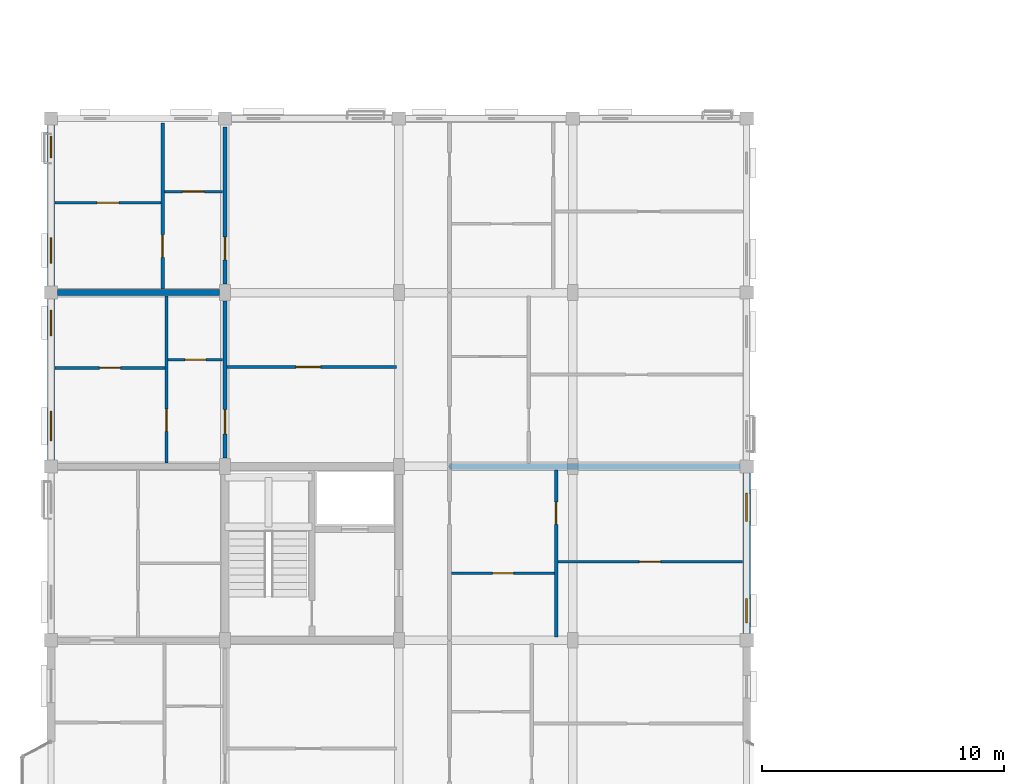
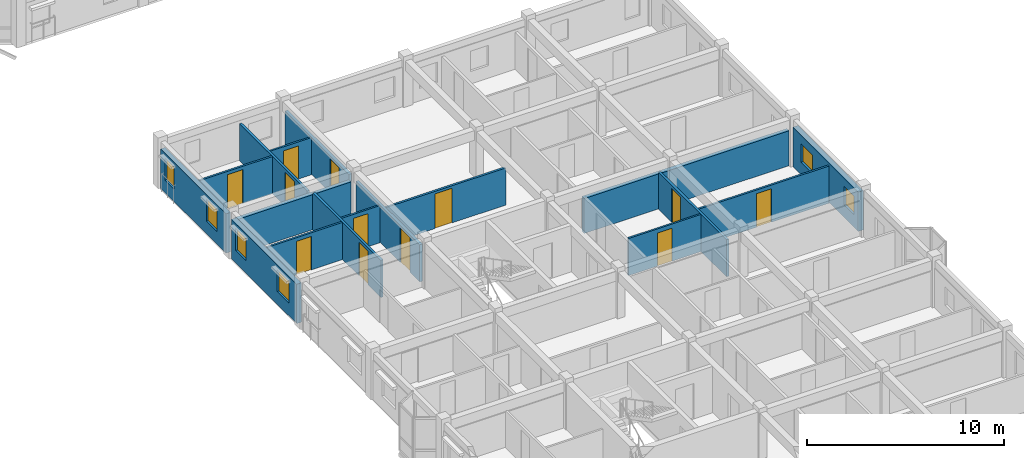
# One storey, part 48 of 75: 17 walls, 12 doors, 6 windows, 18 openings.
"""IFC4 building model written with IfcOpenShell, lengths in metres."""

import ifcopenshell
import ifcopenshell.guid

model = None  # the IFC model being written
_history = None  # IfcOwnerHistory: only IFC2X3 demands one
_inside = {}  # id of a spatial element -> (the spatial element, [elements in it])
_under = {}  # id of a project, library or spatial element -> (it, [spatial elements below it])
_declared = {}  # id of a project -> (the project, [libraries it declares])
_typed = {}  # id of a type object -> (the type object, [elements of that type])
_made_of = {}  # id of a material, layer set ... -> (it, [elements and type objects made of it])


def new_model(schema):
    """Start an empty IFC model of exactly this schema.

    Asked for "IFC4X3", IfcOpenShell would pick the latest addendum, in which some entities
    have other attributes; the version numbers below select the first issue.
    IFC2X3 requires an IfcOwnerHistory on every rooted entity: one is made here for all.
    """
    global model, _history
    if schema == "IFC4X3":
        model = ifcopenshell.file(schema_version=(4, 3, 0, 0))
    else:
        model = ifcopenshell.file(schema=schema)
    _inside.clear()
    _under.clear()
    _declared.clear()
    _typed.clear()
    _made_of.clear()
    _history = None
    if model.schema == "IFC2X3":
        org = make("IfcOrganization", Name="unknown")
        user = make(
            "IfcPersonAndOrganization",
            ThePerson=make("IfcPerson", FamilyName="unknown"),
            TheOrganization=org,
        )
        app = make(
            "IfcApplication",
            ApplicationDeveloper=org,
            Version="unknown",
            ApplicationFullName="unknown",
            ApplicationIdentifier="unknown",
        )
        _history = make(
            "IfcOwnerHistory",
            OwningUser=user,
            OwningApplication=app,
            ChangeAction="ADDED",
            CreationDate=0,
        )
    return model


def make(cls, **values):
    """One entity of the class cls with the attributes given. An attribute that is None is left unset."""
    return model.create_entity(
        cls, **{name: value for name, value in values.items() if value is not None}
    )


def rooted(cls, **values):
    """An entity with a GlobalId (a new one), such as an element, a storey or a relation."""
    return make(cls, GlobalId=ifcopenshell.guid.new(), OwnerHistory=_history, **values)


def si_unit(unit_type, name, prefix=None):
    """IfcSIUnit, for example si_unit("LENGTHUNIT", "METRE", prefix="MILLI")."""
    return make("IfcSIUnit", UnitType=unit_type, Prefix=prefix, Name=name)


def assignment(units):
    """IfcUnitAssignment: the units of a project."""
    return None if units is None else make("IfcUnitAssignment", Units=units)


def point(xyz):
    """IfcCartesianPoint."""
    return None if xyz is None else make("IfcCartesianPoint", Coordinates=xyz)


def direction(xyz):
    """IfcDirection."""
    return None if xyz is None else make("IfcDirection", DirectionRatios=xyz)


def frame(location, z_axis=None, x_axis=None):
    """IfcAxis2Placement3D, a coordinate frame: its origin and axes. An axis left out is left unset."""
    return make(
        "IfcAxis2Placement3D",
        Location=point(location),
        Axis=direction(z_axis),
        RefDirection=direction(x_axis),
    )


def frame_2d(location, x_axis=None):
    """IfcAxis2Placement2D, a coordinate frame in the plane: its origin and x axis."""
    return make(
        "IfcAxis2Placement2D", Location=point(location), RefDirection=direction(x_axis)
    )


def origin():
    """The frame at (0, 0, 0) with its axes left unset."""
    return frame((0.0, 0.0, 0.0))


def place(relative_to, where):
    """IfcLocalPlacement: puts the frame where relative to a parent placement (None: the world)."""
    return make(
        "IfcLocalPlacement", PlacementRelTo=relative_to, RelativePlacement=where
    )


def context(
    kind, dimensions, precision=None, world=None, true_north=None, identifier=None
):
    """IfcGeometricRepresentationContext, for example the 3D "Model" context."""
    return make(
        "IfcGeometricRepresentationContext",
        ContextIdentifier=identifier,
        ContextType=kind,
        CoordinateSpaceDimension=dimensions,
        Precision=precision,
        WorldCoordinateSystem=world,
        TrueNorth=true_north,
    )


def subcontext(parent, identifier, kind, view, scale=None):
    """IfcGeometricRepresentationSubContext, for example "Body" below "Model"."""
    return make(
        "IfcGeometricRepresentationSubContext",
        ContextIdentifier=identifier,
        ContextType=kind,
        ParentContext=parent,
        TargetScale=scale,
        TargetView=view,
    )


def project(units=None, contexts=None):
    """IfcProject with its units and contexts."""
    return rooted(
        "IfcProject",
        Name="project",
        RepresentationContexts=contexts,
        UnitsInContext=assignment(units),
    )


def spatial(cls, under=None, at=None, **own):
    """A site, building, storey or space (cls), placed at a placement, below another one or the project."""
    s = rooted(cls, ObjectPlacement=at, **own)
    if under is not None:
        _under.setdefault(under.id(), (under, []))[1].append(s)
    return s


def profile(cls, at=None, kind="AREA", **sizes):
    """A parametric profile (cls). Its sizes go by their IFC names, for example OverallWidth=200.0."""
    return make(cls, ProfileType=kind, Position=at, **sizes)


def rectangle(**sizes):
    """IfcRectangleProfileDef."""
    return profile("IfcRectangleProfileDef", **sizes)


def extrude(swept, where, along, depth):
    """IfcExtrudedAreaSolid: the profile swept, set in the frame where, extruded along a direction by depth."""
    return make(
        "IfcExtrudedAreaSolid",
        SweptArea=swept,
        Position=where,
        ExtrudedDirection=direction(along),
        Depth=depth,
    )


def shape(context_of_items, identifier, shape_type, items):
    """IfcShapeRepresentation: the items that make up one representation, for example the "Body"."""
    return make(
        "IfcShapeRepresentation",
        ContextOfItems=context_of_items,
        RepresentationIdentifier=identifier,
        RepresentationType=shape_type,
        Items=items,
    )


def material(Name=None, Category=None):
    """IfcMaterial."""
    return make("IfcMaterial", Name=Name, Category=Category)


def layer(
    of_material, thickness, ventilated=None, Name=None, Category=None, Priority=None
):
    """IfcMaterialLayer: one layer of a wall or slab, of a material (None: an air gap)."""
    return make(
        "IfcMaterialLayer",
        Material=of_material,
        LayerThickness=thickness,
        IsVentilated=ventilated,
        Name=Name,
        Category=Category,
        Priority=Priority,
    )


def layer_set(layers, Name=None):
    """IfcMaterialLayerSet."""
    return make("IfcMaterialLayerSet", MaterialLayers=layers, LayerSetName=Name)


def made_of(thing, what):
    """Note that an element or type object is made of a material, layer set ...; save() writes the relation."""
    if what is not None:
        _made_of.setdefault(what.id(), (what, []))[1].append(thing)
    return thing


def type_object(cls, material=None, **own):
    """A type object (cls), such as IfcWallType, which elements share."""
    return made_of(rooted(cls, **own), material)


def element(
    cls,
    number,
    at=None,
    inside=None,
    cuts=None,
    type_object=None,
    material=None,
    context=None,
    identifier="Body",
    shape_type=None,
    held_by="IfcProductDefinitionShape",
    body=None,
    shapes=None,
    **own,
):
    """One element of the class cls, such as IfcWall. Its Tag is "e" and its number.

    at: its placement. inside: the storey or other place that contains it. cuts: it is an
    opening in that element (IfcRelVoidsElement). A single representation is given by context,
    identifier, shape_type and body (its items); several are given by shapes. held_by: the class
    of the entity that holds the representations. save() writes the other relations.
    """
    e = rooted(cls, Tag="e%d" % number, ObjectPlacement=at, **own)
    if body is not None:
        shapes = [shape(context, identifier, shape_type, body)]
    if shapes is not None:
        e.Representation = make(held_by, Representations=shapes)
    if inside is not None:
        _inside.setdefault(inside.id(), (inside, []))[1].append(e)
    if cuts is not None:
        rooted(
            "IfcRelVoidsElement", RelatingBuildingElement=cuts, RelatedOpeningElement=e
        )
    if type_object is not None:
        _typed.setdefault(type_object.id(), (type_object, []))[1].append(e)
    return made_of(e, material)


def fill(opening, filler):
    """IfcRelFillsElement: the door or window that sits in an opening."""
    return rooted(
        "IfcRelFillsElement",
        RelatingOpeningElement=opening,
        RelatedBuildingElement=filler,
    )


def aggregate(whole, parts):
    """IfcRelAggregates: a whole, such as a stair, and the parts it consists of."""
    return rooted("IfcRelAggregates", RelatingObject=whole, RelatedObjects=parts)


def save(model, path):
    """Write the relations noted so far, then the file.

    IfcRelAggregates (storeys below a building ...), IfcRelContainedInSpatialStructure (elements
    in a storey), IfcRelDefinesByType, IfcRelAssociatesMaterial and IfcRelDeclares: one each for
    every whole, place, type object, material and project.
    """
    for whole, parts in _under.values():
        aggregate(whole, parts)
    for where, things in _inside.values():
        rooted(
            "IfcRelContainedInSpatialStructure",
            RelatedElements=things,
            RelatingStructure=where,
        )
    for kind, things in _typed.values():
        rooted("IfcRelDefinesByType", RelatedObjects=things, RelatingType=kind)
    for what, things in _made_of.values():
        rooted("IfcRelAssociatesMaterial", RelatedObjects=things, RelatingMaterial=what)
    for by, libraries in _declared.values():
        rooted("IfcRelDeclares", RelatingContext=by, RelatedDefinitions=libraries)
    model.write(path)


model = new_model("IFC4")

# Units and contexts
model_context = context("Model", 3, precision=1e-05, world=origin(), true_north=direction((0.0, 1.0)))
body_context = subcontext(model_context, "Body", "Model", "MODEL_VIEW")
ifc_project = project(units=[si_unit("LENGTHUNIT", "METRE"), si_unit("AREAUNIT", "SQUARE_METRE"), si_unit("VOLUMEUNIT", "CUBIC_METRE"), si_unit("PLANEANGLEUNIT", "RADIAN"), si_unit("MASSUNIT", "GRAM", prefix="KILO"), si_unit("THERMODYNAMICTEMPERATUREUNIT", "KELVIN"), si_unit("POWERUNIT", "WATT")], contexts=[model_context])

# Site, building, storey
site_placement = place(None, origin())
site = spatial("IfcSite", under=ifc_project, at=site_placement, CompositionType="ELEMENT")
building_placement = place(site_placement, origin())
building = spatial("IfcBuilding", under=site, at=building_placement, Name="Tavuni Mirador Residences", CompositionType="ELEMENT")
storey_placement = place(building_placement, frame((0.0, 0.0, 20.25)))
storey = spatial("IfcBuildingStorey", under=building, at=storey_placement, Name="L06", CompositionType="ELEMENT", Elevation=20.25)

# Wall, opening, door
ifc_material_1 = material(Name="Precast concrete C40/50", Category="concrete")
ifc_layer_1 = layer(ifc_material_1, 0.1650390625, Name="Precast concrete C40/50", Category="concrete")
ifc_layer_set_1 = layer_set([ifc_layer_1], Name="Precast concrete C40/50")
wall_type_1 = type_object("IfcWallType", Name="WT-CORR165", PredefinedType="PARTITIONING", material=ifc_layer_set_1)
wall_1_placement = place(storey_placement, frame((10.800048828125, 36.35009765625, 0.0), z_axis=(0.0, 0.0, 1.0), x_axis=(0.0, 1.0, 0.0)))
wall_1 = element("IfcWall", 1, at=wall_1_placement, inside=storey, type_object=wall_type_1, Name="CORW-BLK-A-L06-1-04", PredefinedType="PARTITIONING", context=body_context, shape_type="SweptSolid", body=[
    extrude(rectangle(XDim=6.5, YDim=0.1650390625, at=frame_2d((3.25, 0.0))), origin(), (0.0, 0.0, 1.0), 2.304931640625),
])
opening_1_placement = place(wall_1_placement, frame((1.0, 0.0, 0.0)))
opening_1 = element("IfcOpeningElement", 2, at=opening_1_placement, cuts=wall_1, Name="Opening D-03", PredefinedType="OPENING", context=body_context, shape_type="SweptSolid", body=[
    extrude(rectangle(XDim=1.0, YDim=2.14990234375, at=frame_2d((0.5, 1.074951171875))), frame((0.0, 0.092529296875, 0.0), z_axis=(0.0, -1.0, 0.0), x_axis=(1.0, 0.0, 0.0)), (0.0, 0.0, 1.0), 0.18505859375),
])
ifc_material_2 = material(Name="Solid core iroko timber", Category="wood")
door_type_1 = type_object("IfcDoorType", Name="DT-FD60-1000", OperationType="NOTDEFINED", PredefinedType="DOOR", material=ifc_material_2)
door_1_placement = place(opening_1_placement, origin())
door_1 = element("IfcDoor", 3, at=door_1_placement, inside=storey, type_object=door_type_1, Name="DR-2451", OperationType="SINGLE_SWING_RIGHT", OverallHeight=2.14990234375, OverallWidth=1.0, PredefinedType="DOOR", context=body_context, shape_type="SweptSolid", body=[
    extrude(rectangle(XDim=1.0, YDim=2.14990234375, at=frame_2d((0.5, 1.074951171875))), frame((0.0, 0.02490234375, 0.0), z_axis=(0.0, -1.0, 0.0), x_axis=(1.0, 0.0, 0.0)), (0.0, 0.0, 1.0), 0.050048828125),
])
fill(opening_1, door_1)

wall_2_placement = place(storey_placement, frame((10.800048828125, 43.550048828125, 0.0), z_axis=(0.0, 0.0, 1.0), x_axis=(0.0, 1.0, 0.0)))
wall_2 = element("IfcWall", 4, at=wall_2_placement, inside=storey, type_object=wall_type_1, Name="CORW-BLK-A-L06-1-05", PredefinedType="PARTITIONING", context=body_context, shape_type="SweptSolid", body=[
    extrude(rectangle(XDim=6.5, YDim=0.1650390625, at=frame_2d((3.25, 0.0))), origin(), (0.0, 0.0, 1.0), 2.304931640625),
])
opening_2_placement = place(wall_2_placement, frame((1.0, 0.0, 0.0)))
opening_2 = element("IfcOpeningElement", 5, at=opening_2_placement, cuts=wall_2, Name="Opening D-19", PredefinedType="OPENING", context=body_context, shape_type="SweptSolid", body=[
    extrude(rectangle(XDim=0.93994140625, YDim=2.1201171875, at=frame_2d((0.469970703125, 1.06005859375))), frame((0.0, 0.092529296875, 0.0), z_axis=(0.0, -1.0, 0.0), x_axis=(1.0, 0.0, 0.0)), (0.0, 0.0, 1.0), 0.18505859375),
])
door_type_2 = type_object("IfcDoorType", Name="DT-FD60-940", OperationType="NOTDEFINED", PredefinedType="DOOR", material=ifc_material_2)
door_2_placement = place(opening_2_placement, origin())
door_2 = element("IfcDoor", 6, at=door_2_placement, inside=storey, type_object=door_type_2, Name="DR-2452", OperationType="SINGLE_SWING_LEFT", OverallHeight=2.1201171875, OverallWidth=0.93994140625, PredefinedType="DOOR", context=body_context, shape_type="SweptSolid", body=[
    extrude(rectangle(XDim=0.93994140625, YDim=2.1201171875, at=frame_2d((0.469970703125, 1.06005859375))), frame((0.0, 0.02490234375, 0.0), z_axis=(0.0, -1.0, 0.0), x_axis=(1.0, 0.0, 0.0)), (0.0, 0.0, 1.0), 0.050048828125),
])
fill(opening_2, door_2)

# Wall, openings, windows
ifc_material_3 = material(Name="Sgraffito lime-rendered precast concrete C40/50", Category="concrete")
ifc_layer_2 = layer(ifc_material_3, 0.27490234375, Name="Sgraffito lime-rendered precast concrete C40/50", Category="concrete")
ifc_layer_set_2 = layer_set([ifc_layer_2], Name="Sgraffito lime-rendered precast concrete C40/50")
wall_type_2 = type_object("IfcWallType", Name="WT-EXT-PC275", PredefinedType="SOLIDWALL", material=ifc_layer_set_2)
wall_3_placement = place(storey_placement, frame((3.60009765625, 50.125, 0.0), z_axis=(0.0, 0.0, 1.0), x_axis=(0.0, -1.0, 0.0)))
wall_3 = element("IfcWall", 7, at=wall_3_placement, inside=storey, type_object=wall_type_2, Name="EW-BLK-A-L06-W05", PredefinedType="SOLIDWALL", context=body_context, shape_type="SweptSolid", body=[
    extrude(rectangle(XDim=6.64990234375, YDim=0.27490234375, at=frame_2d((3.324951171875, 0.0))), origin(), (0.0, 0.0, 1.0), 2.43994140625),
])
opening_3_placement = place(wall_3_placement, frame((0.449951171875, 0.0, 0.780029296875)))
opening_3 = element("IfcOpeningElement", 8, at=opening_3_placement, cuts=wall_3, Name="Opening WN-17", PredefinedType="OPENING", context=body_context, shape_type="SweptSolid", body=[
    extrude(rectangle(XDim=0.89990234375, YDim=1.360107421875, at=frame_2d((0.449951171875, 0.68017578125))), frame((0.0, 0.1474609375, 0.0), z_axis=(0.0, -1.0, 0.0), x_axis=(1.0, 0.0, 0.0)), (0.0, 0.0, 1.0), 0.294921875),
])
opening_4_placement = place(wall_3_placement, frame((4.64990234375, 0.0, 0.780029296875)))
opening_4 = element("IfcOpeningElement", 9, at=opening_4_placement, cuts=wall_3, Name="Opening WN-19", PredefinedType="OPENING", context=body_context, shape_type="SweptSolid", body=[
    extrude(rectangle(XDim=1.06005859375, YDim=1.360107421875, at=frame_2d((0.530029296875, 0.68017578125))), frame((0.0, 0.1474609375, 0.0), z_axis=(0.0, -1.0, 0.0), x_axis=(1.0, 0.0, 0.0)), (0.0, 0.0, 1.0), 0.294921875),
])
ifc_material_4 = material(Name="Laminated solar-control glass", Category="glass")
window_type_1 = type_object("IfcWindowType", Name="WNT-17", PartitioningType="SINGLE_PANEL", PredefinedType="WINDOW", material=ifc_material_4)
window_1_placement = place(opening_3_placement, origin())
window_1 = element("IfcWindow", 10, at=window_1_placement, inside=storey, type_object=window_type_1, Name="WIN-0250", OverallHeight=1.360107421875, OverallWidth=0.89990234375, PartitioningType="SINGLE_PANEL", PredefinedType="WINDOW", context=body_context, shape_type="SweptSolid", body=[
    extrude(rectangle(XDim=0.89990234375, YDim=1.360107421875, at=frame_2d((0.449951171875, 0.68017578125))), frame((0.0, 0.030029296875, 0.0), z_axis=(0.0, -1.0, 0.0), x_axis=(1.0, 0.0, 0.0)), (0.0, 0.0, 1.0), 0.06005859375),
])
fill(opening_3, window_1)
window_type_2 = type_object("IfcWindowType", Name="WNT-19", PartitioningType="SINGLE_PANEL", PredefinedType="WINDOW", material=ifc_material_4)
window_2_placement = place(opening_4_placement, origin())
window_2 = element("IfcWindow", 11, at=window_2_placement, inside=storey, type_object=window_type_2, Name="WIN-0251", OverallHeight=1.360107421875, OverallWidth=1.06005859375, PartitioningType="SINGLE_PANEL", PredefinedType="WINDOW", context=body_context, shape_type="SweptSolid", body=[
    extrude(rectangle(XDim=1.06005859375, YDim=1.360107421875, at=frame_2d((0.530029296875, 0.68017578125))), frame((0.0, 0.030029296875, 0.0), z_axis=(0.0, -1.0, 0.0), x_axis=(1.0, 0.0, 0.0)), (0.0, 0.0, 1.0), 0.06005859375),
])
fill(opening_4, window_2)

ifc_layer_3 = layer(ifc_material_3, 0.2900390625, Name="Sgraffito lime-rendered precast concrete C40/50", Category="concrete")
ifc_layer_set_3 = layer_set([ifc_layer_3], Name="Sgraffito lime-rendered precast concrete C40/50")
wall_type_3 = type_object("IfcWallType", Name="WT-EXT-PC290", PredefinedType="SOLIDWALL", material=ifc_layer_set_3)
wall_4_placement = place(storey_placement, frame((3.60009765625, 42.925048828125, 0.0), z_axis=(0.0, 0.0, 1.0), x_axis=(0.0, -1.0, 0.0)))
wall_4 = element("IfcWall", 12, at=wall_4_placement, inside=storey, type_object=wall_type_3, Name="EW-BLK-A-L06-W04", PredefinedType="SOLIDWALL", context=body_context, shape_type="SweptSolid", body=[
    extrude(rectangle(XDim=6.650146484375, YDim=0.2900390625, at=frame_2d((3.3251953125, 0.0))), origin(), (0.0, 0.0, 1.0), 2.43994140625),
])
opening_5_placement = place(wall_4_placement, frame((0.449951171875, 0.0, 0.780029296875)))
opening_5 = element("IfcOpeningElement", 13, at=opening_5_placement, cuts=wall_4, Name="Opening WN-19", PredefinedType="OPENING", context=body_context, shape_type="SweptSolid", body=[
    extrude(rectangle(XDim=1.06005859375, YDim=1.360107421875, at=frame_2d((0.530029296875, 0.68017578125))), frame((0.0, 0.155029296875, 0.0), z_axis=(0.0, -1.0, 0.0), x_axis=(1.0, 0.0, 0.0)), (0.0, 0.0, 1.0), 0.31005859375),
])
opening_6_placement = place(wall_4_placement, frame((4.64990234375, 0.0, 0.780029296875)))
opening_6 = element("IfcOpeningElement", 14, at=opening_6_placement, cuts=wall_4, Name="Opening WN-21", PredefinedType="OPENING", context=body_context, shape_type="SweptSolid", body=[
    extrude(rectangle(XDim=1.219970703125, YDim=1.360107421875, at=frame_2d((0.60986328125, 0.68017578125))), frame((0.0, 0.155029296875, 0.0), z_axis=(0.0, -1.0, 0.0), x_axis=(1.0, 0.0, 0.0)), (0.0, 0.0, 1.0), 0.31005859375),
])
window_3_placement = place(opening_5_placement, origin())
window_3 = element("IfcWindow", 15, at=window_3_placement, inside=storey, type_object=window_type_2, Name="WIN-0252", OverallHeight=1.360107421875, OverallWidth=1.06005859375, PartitioningType="SINGLE_PANEL", PredefinedType="WINDOW", context=body_context, shape_type="SweptSolid", body=[
    extrude(rectangle(XDim=1.06005859375, YDim=1.360107421875, at=frame_2d((0.530029296875, 0.68017578125))), frame((0.0, 0.030029296875, 0.0), z_axis=(0.0, -1.0, 0.0), x_axis=(1.0, 0.0, 0.0)), (0.0, 0.0, 1.0), 0.06005859375),
])
fill(opening_5, window_3)
window_type_3 = type_object("IfcWindowType", Name="WNT-21", PartitioningType="SINGLE_PANEL", PredefinedType="WINDOW", material=ifc_material_4)
window_4_placement = place(opening_6_placement, origin())
window_4 = element("IfcWindow", 16, at=window_4_placement, inside=storey, type_object=window_type_3, Name="WIN-0253", OverallHeight=1.360107421875, OverallWidth=1.219970703125, PartitioningType="SINGLE_PANEL", PredefinedType="WINDOW", context=body_context, shape_type="SweptSolid", body=[
    extrude(rectangle(XDim=1.219970703125, YDim=1.360107421875, at=frame_2d((0.60986328125, 0.68017578125))), frame((0.0, 0.030029296875, 0.0), z_axis=(0.0, -1.0, 0.0), x_axis=(1.0, 0.0, 0.0)), (0.0, 0.0, 1.0), 0.06005859375),
])
fill(opening_6, window_4)

ifc_layer_4 = layer(ifc_material_3, 0.304931640625, Name="Sgraffito lime-rendered precast concrete C40/50", Category="concrete")
ifc_layer_set_4 = layer_set([ifc_layer_4], Name="Sgraffito lime-rendered precast concrete C40/50")
wall_type_4 = type_object("IfcWallType", Name="WT-EXT-PC305", PredefinedType="SOLIDWALL", material=ifc_layer_set_4)
wall_5_placement = place(storey_placement, frame((32.39990234375, 29.074951171875, 0.0), z_axis=(0.0, 0.0, 1.0), x_axis=(0.0, 1.0, 0.0)))
wall_5 = element("IfcWall", 17, at=wall_5_placement, inside=storey, type_object=wall_type_4, Name="EW-BLK-A-L06-E03", PredefinedType="SOLIDWALL", context=body_context, shape_type="SweptSolid", body=[
    extrude(rectangle(XDim=6.650146484375, YDim=0.304931640625, at=frame_2d((3.3251953125, 0.0))), origin(), (0.0, 0.0, 1.0), 2.43994140625),
])
opening_7_placement = place(wall_5_placement, frame((0.449951171875, 0.0, 0.780029296875)))
opening_7 = element("IfcOpeningElement", 18, at=opening_7_placement, cuts=wall_5, Name="Opening WN-03", PredefinedType="OPENING", context=body_context, shape_type="SweptSolid", body=[
    extrude(rectangle(XDim=1.0, YDim=1.14990234375, at=frame_2d((0.5, 0.574951171875))), frame((0.0, 0.16259765625, 0.0), z_axis=(0.0, -1.0, 0.0), x_axis=(1.0, 0.0, 0.0)), (0.0, 0.0, 1.0), 0.324951171875),
])
opening_8_placement = place(wall_5_placement, frame((4.64990234375, 0.0, 0.780029296875)))
opening_8 = element("IfcOpeningElement", 19, at=opening_8_placement, cuts=wall_5, Name="Opening WN-05", PredefinedType="OPENING", context=body_context, shape_type="SweptSolid", body=[
    extrude(rectangle(XDim=1.159912109375, YDim=1.14990234375, at=frame_2d((0.580078125, 0.574951171875))), frame((0.0, 0.16259765625, 0.0), z_axis=(0.0, -1.0, 0.0), x_axis=(1.0, 0.0, 0.0)), (0.0, 0.0, 1.0), 0.324951171875),
])
window_type_4 = type_object("IfcWindowType", Name="WNT-03", PartitioningType="SINGLE_PANEL", PredefinedType="WINDOW", material=ifc_material_4)
window_5_placement = place(opening_7_placement, origin())
window_5 = element("IfcWindow", 20, at=window_5_placement, inside=storey, type_object=window_type_4, Name="WIN-0236", OverallHeight=1.14990234375, OverallWidth=1.0, PartitioningType="SINGLE_PANEL", PredefinedType="WINDOW", context=body_context, shape_type="SweptSolid", body=[
    extrude(rectangle(XDim=1.0, YDim=1.14990234375, at=frame_2d((0.5, 0.574951171875))), frame((0.0, 0.030029296875, 0.0), z_axis=(0.0, -1.0, 0.0), x_axis=(1.0, 0.0, 0.0)), (0.0, 0.0, 1.0), 0.06005859375),
])
fill(opening_7, window_5)
window_type_5 = type_object("IfcWindowType", Name="WNT-05", PartitioningType="SINGLE_PANEL", PredefinedType="WINDOW", material=ifc_material_4)
window_6_placement = place(opening_8_placement, origin())
window_6 = element("IfcWindow", 21, at=window_6_placement, inside=storey, type_object=window_type_5, Name="WIN-0237", OverallHeight=1.14990234375, OverallWidth=1.159912109375, PartitioningType="SINGLE_PANEL", PredefinedType="WINDOW", context=body_context, shape_type="SweptSolid", body=[
    extrude(rectangle(XDim=1.159912109375, YDim=1.14990234375, at=frame_2d((0.580078125, 0.574951171875))), frame((0.0, 0.030029296875, 0.0), z_axis=(0.0, -1.0, 0.0), x_axis=(1.0, 0.0, 0.0)), (0.0, 0.0, 1.0), 0.06005859375),
])
fill(opening_8, window_6)

# Wall, opening, door
ifc_material_5 = material(Name="Acoustic gypsum and concrete block partition", Category="concrete")
ifc_layer_5 = layer(ifc_material_5, 0.10498046875, Name="Acoustic gypsum and concrete block partition", Category="concrete")
ifc_layer_set_5 = layer_set([ifc_layer_5], Name="Acoustic gypsum and concrete block partition")
wall_type_5 = type_object("IfcWallType", Name="WT-PART105", PredefinedType="PARTITIONING", material=ifc_layer_set_5)
wall_6_placement = place(storey_placement, frame((20.18994140625, 31.580078125, 0.0), z_axis=(0.0, 0.0, 1.0), x_axis=(1.0, 0.0, 0.0)))
wall_6 = element("IfcWall", 22, at=wall_6_placement, inside=storey, type_object=wall_type_5, Name="PW-BLK-A-L06-E03-IN1", PredefinedType="PARTITIONING", context=body_context, shape_type="SweptSolid", body=[
    extrude(rectangle(XDim=4.25, YDim=0.10498046875, at=frame_2d((2.125, 0.0))), origin(), (0.0, 0.0, 1.0), 2.304931640625),
])
opening_9_placement = place(wall_6_placement, frame((1.68994140625, 0.0, 0.0)))
opening_9 = element("IfcOpeningElement", 23, at=opening_9_placement, cuts=wall_6, Name="Opening D-10", PredefinedType="OPENING", context=body_context, shape_type="SweptSolid", body=[
    extrude(rectangle(XDim=0.8701171875, YDim=2.050048828125, at=frame_2d((0.43505859375, 1.02490234375))), frame((0.0, 0.0625, 0.0), z_axis=(0.0, -1.0, 0.0), x_axis=(1.0, 0.0, 0.0)), (0.0, 0.0, 1.0), 0.125),
])
door_type_3 = type_object("IfcDoorType", Name="DT-WC870", OperationType="NOTDEFINED", PredefinedType="DOOR", material=ifc_material_2)
door_3_placement = place(opening_9_placement, origin())
door_3 = element("IfcDoor", 24, at=door_3_placement, inside=storey, type_object=door_type_3, Name="DR-3156", OperationType="SINGLE_SWING_LEFT", OverallHeight=2.050048828125, OverallWidth=0.8701171875, PredefinedType="DOOR", context=body_context, shape_type="SweptSolid", body=[
    extrude(rectangle(XDim=0.8701171875, YDim=2.050048828125, at=frame_2d((0.43505859375, 1.02490234375))), frame((0.0, 0.02490234375, 0.0), z_axis=(0.0, -1.0, 0.0), x_axis=(1.0, 0.0, 0.0)), (0.0, 0.0, 1.0), 0.050048828125),
])
fill(opening_9, door_3)

wall_7_placement = place(storey_placement, frame((8.449951171875, 40.419921875, 0.0), z_axis=(0.0, 0.0, 1.0), x_axis=(1.0, 0.0, 0.0)))
wall_7 = element("IfcWall", 25, at=wall_7_placement, inside=storey, type_object=wall_type_5, Name="PW-BLK-A-L06-W04-IN1", PredefinedType="PARTITIONING", context=body_context, shape_type="SweptSolid", body=[
    extrude(rectangle(XDim=2.260009765625, YDim=0.10498046875, at=frame_2d((1.1298828125, 0.0))), origin(), (0.0, 0.0, 1.0), 2.304931640625),
])
opening_10_placement = place(wall_7_placement, frame((0.695068359375, 0.0, 0.0)))
opening_10 = element("IfcOpeningElement", 26, at=opening_10_placement, cuts=wall_7, Name="Opening D-10", PredefinedType="OPENING", context=body_context, shape_type="SweptSolid", body=[
    extrude(rectangle(XDim=0.8701171875, YDim=2.050048828125, at=frame_2d((0.43505859375, 1.02490234375))), frame((0.0, 0.0625, 0.0), z_axis=(0.0, -1.0, 0.0), x_axis=(1.0, 0.0, 0.0)), (0.0, 0.0, 1.0), 0.125),
])
door_4_placement = place(opening_10_placement, origin())
door_4 = element("IfcDoor", 27, at=door_4_placement, inside=storey, type_object=door_type_3, Name="DR-3160", OperationType="SINGLE_SWING_LEFT", OverallHeight=2.050048828125, OverallWidth=0.8701171875, PredefinedType="DOOR", context=body_context, shape_type="SweptSolid", body=[
    extrude(rectangle(XDim=0.8701171875, YDim=2.050048828125, at=frame_2d((0.43505859375, 1.02490234375))), frame((0.0, 0.02490234375, 0.0), z_axis=(0.0, -1.0, 0.0), x_axis=(1.0, 0.0, 0.0)), (0.0, 0.0, 1.0), 0.050048828125),
])
fill(opening_10, door_4)

wall_8_placement = place(storey_placement, frame((8.2900390625, 47.3798828125, 0.0), z_axis=(0.0, 0.0, 1.0), x_axis=(1.0, 0.0, 0.0)))
wall_8 = element("IfcWall", 28, at=wall_8_placement, inside=storey, type_object=wall_type_5, Name="PW-BLK-A-L06-W05-IN1", PredefinedType="PARTITIONING", context=body_context, shape_type="SweptSolid", body=[
    extrude(rectangle(XDim=2.419921875, YDim=0.10498046875, at=frame_2d((1.2099609375, 0.0))), origin(), (0.0, 0.0, 1.0), 2.304931640625),
])
opening_11_placement = place(wall_8_placement, frame((0.760009765625, 0.0, 0.0)))
opening_11 = element("IfcOpeningElement", 29, at=opening_11_placement, cuts=wall_8, Name="Opening D-09", PredefinedType="OPENING", context=body_context, shape_type="SweptSolid", body=[
    extrude(rectangle(XDim=0.89990234375, YDim=2.050048828125, at=frame_2d((0.449951171875, 1.02490234375))), frame((0.0, 0.0625, 0.0), z_axis=(0.0, -1.0, 0.0), x_axis=(1.0, 0.0, 0.0)), (0.0, 0.0, 1.0), 0.125),
])
door_type_4 = type_object("IfcDoorType", Name="DT-WC900", OperationType="NOTDEFINED", PredefinedType="DOOR", material=ifc_material_2)
door_5_placement = place(opening_11_placement, origin())
door_5 = element("IfcDoor", 30, at=door_5_placement, inside=storey, type_object=door_type_4, Name="DR-3166", OperationType="SINGLE_SWING_RIGHT", OverallHeight=2.050048828125, OverallWidth=0.89990234375, PredefinedType="DOOR", context=body_context, shape_type="SweptSolid", body=[
    extrude(rectangle(XDim=0.89990234375, YDim=2.050048828125, at=frame_2d((0.449951171875, 1.02490234375))), frame((0.0, 0.02490234375, 0.0), z_axis=(0.0, -1.0, 0.0), x_axis=(1.0, 0.0, 0.0)), (0.0, 0.0, 1.0), 0.050048828125),
])
fill(opening_11, door_5)

ifc_layer_6 = layer(ifc_material_5, 0.114990234375, Name="Acoustic gypsum and concrete block partition", Category="concrete")
ifc_layer_set_6 = layer_set([ifc_layer_6], Name="Acoustic gypsum and concrete block partition")
wall_type_6 = type_object("IfcWallType", Name="WT-PART115", PredefinedType="PARTITIONING", material=ifc_layer_set_6)
wall_9_placement = place(storey_placement, frame((24.580078125, 32.050048828125, 0.0), z_axis=(0.0, 0.0, 1.0), x_axis=(1.0, 0.0, 0.0)))
wall_9 = element("IfcWall", 31, at=wall_9_placement, inside=storey, type_object=wall_type_6, Name="PW-BLK-A-L06-E03-OUT", PredefinedType="PARTITIONING", context=body_context, shape_type="SweptSolid", body=[
    extrude(rectangle(XDim=7.64501953125, YDim=0.114990234375, at=frame_2d((3.822509765625, 0.0))), origin(), (0.0, 0.0, 1.0), 2.304931640625),
])
opening_12_placement = place(wall_9_placement, frame((3.382568359375, 0.0, 0.0)))
opening_12 = element("IfcOpeningElement", 32, at=opening_12_placement, cuts=wall_9, Name="Opening D-08", PredefinedType="OPENING", context=body_context, shape_type="SweptSolid", body=[
    extrude(rectangle(XDim=0.8798828125, YDim=2.080078125, at=frame_2d((0.43994140625, 1.0400390625))), frame((0.0, 0.0673828125, 0.0), z_axis=(0.0, -1.0, 0.0), x_axis=(1.0, 0.0, 0.0)), (0.0, 0.0, 1.0), 0.135009765625),
])
door_type_5 = type_object("IfcDoorType", Name="DT-BED880", OperationType="NOTDEFINED", PredefinedType="DOOR", material=ifc_material_2)
door_6_placement = place(opening_12_placement, origin())
door_6 = element("IfcDoor", 33, at=door_6_placement, inside=storey, type_object=door_type_5, Name="DR-3155", OperationType="SINGLE_SWING_RIGHT", OverallHeight=2.080078125, OverallWidth=0.8798828125, PredefinedType="DOOR", context=body_context, shape_type="SweptSolid", body=[
    extrude(rectangle(XDim=0.8798828125, YDim=2.080078125, at=frame_2d((0.43994140625, 1.0400390625))), frame((0.0, 0.02490234375, 0.0), z_axis=(0.0, -1.0, 0.0), x_axis=(1.0, 0.0, 0.0)), (0.0, 0.0, 1.0), 0.050048828125),
])
fill(opening_12, door_6)

wall_10_placement = place(storey_placement, frame((3.77490234375, 40.080078125, 0.0), z_axis=(0.0, 0.0, 1.0), x_axis=(1.0, 0.0, 0.0)))
wall_10 = element("IfcWall", 34, at=wall_10_placement, inside=storey, type_object=wall_type_6, Name="PW-BLK-A-L06-W04-OUT", PredefinedType="PARTITIONING", context=body_context, shape_type="SweptSolid", body=[
    extrude(rectangle(XDim=4.53515625, YDim=0.114990234375, at=frame_2d((2.267578125, 0.0))), origin(), (0.0, 0.0, 1.0), 2.304931640625),
])
opening_13_placement = place(wall_10_placement, frame((1.827392578125, 0.0, 0.0)))
opening_13 = element("IfcOpeningElement", 35, at=opening_13_placement, cuts=wall_10, Name="Opening D-08", PredefinedType="OPENING", context=body_context, shape_type="SweptSolid", body=[
    extrude(rectangle(XDim=0.8798828125, YDim=2.080078125, at=frame_2d((0.43994140625, 1.0400390625))), frame((0.0, 0.0673828125, 0.0), z_axis=(0.0, -1.0, 0.0), x_axis=(1.0, 0.0, 0.0)), (0.0, 0.0, 1.0), 0.135009765625),
])
door_7_placement = place(opening_13_placement, origin())
door_7 = element("IfcDoor", 36, at=door_7_placement, inside=storey, type_object=door_type_5, Name="DR-3159", OperationType="SINGLE_SWING_RIGHT", OverallHeight=2.080078125, OverallWidth=0.8798828125, PredefinedType="DOOR", context=body_context, shape_type="SweptSolid", body=[
    extrude(rectangle(XDim=0.8798828125, YDim=2.080078125, at=frame_2d((0.43994140625, 1.0400390625))), frame((0.0, 0.02490234375, 0.0), z_axis=(0.0, -1.0, 0.0), x_axis=(1.0, 0.0, 0.0)), (0.0, 0.0, 1.0), 0.050048828125),
])
fill(opening_13, door_7)

wall_11_placement = place(storey_placement, frame((3.77490234375, 46.919921875, 0.0), z_axis=(0.0, 0.0, 1.0), x_axis=(1.0, 0.0, 0.0)))
wall_11 = element("IfcWall", 37, at=wall_11_placement, inside=storey, type_object=wall_type_6, Name="PW-BLK-A-L06-W05-OUT", PredefinedType="PARTITIONING", context=body_context, shape_type="SweptSolid", body=[
    extrude(rectangle(XDim=4.375, YDim=0.114990234375, at=frame_2d((2.1875, 0.0))), origin(), (0.0, 0.0, 1.0), 2.304931640625),
])
opening_14_placement = place(wall_11_placement, frame((1.737548828125, 0.0, 0.0)))
opening_14 = element("IfcOpeningElement", 38, at=opening_14_placement, cuts=wall_11, Name="Opening D-07", PredefinedType="OPENING", context=body_context, shape_type="SweptSolid", body=[
    extrude(rectangle(XDim=0.89990234375, YDim=2.10009765625, at=frame_2d((0.449951171875, 1.050048828125))), frame((0.0, 0.0673828125, 0.0), z_axis=(0.0, -1.0, 0.0), x_axis=(1.0, 0.0, 0.0)), (0.0, 0.0, 1.0), 0.135009765625),
])
door_type_6 = type_object("IfcDoorType", Name="DT-BED900", OperationType="NOTDEFINED", PredefinedType="DOOR", material=ifc_material_2)
door_8_placement = place(opening_14_placement, origin())
door_8 = element("IfcDoor", 39, at=door_8_placement, inside=storey, type_object=door_type_6, Name="DR-3165", OperationType="SINGLE_SWING_LEFT", OverallHeight=2.10009765625, OverallWidth=0.89990234375, PredefinedType="DOOR", context=body_context, shape_type="SweptSolid", body=[
    extrude(rectangle(XDim=0.89990234375, YDim=2.10009765625, at=frame_2d((0.449951171875, 1.050048828125))), frame((0.0, 0.02490234375, 0.0), z_axis=(0.0, -1.0, 0.0), x_axis=(1.0, 0.0, 0.0)), (0.0, 0.0, 1.0), 0.050048828125),
])
fill(opening_14, door_8)

ifc_layer_7 = layer(ifc_material_5, 0.125, Name="Acoustic gypsum and concrete block partition", Category="concrete")
ifc_layer_set_7 = layer_set([ifc_layer_7], Name="Acoustic gypsum and concrete block partition")
wall_type_7 = type_object("IfcWallType", Name="WT-PART125", PredefinedType="PARTITIONING", material=ifc_layer_set_7)
wall_12_placement = place(storey_placement, frame((10.889892578125, 40.1201171875, 0.0), z_axis=(0.0, 0.0, 1.0), x_axis=(1.0, 0.0, 0.0)))
wall_12 = element("IfcWall", 40, at=wall_12_placement, inside=storey, type_object=wall_type_7, Name="PW-SPN-BLK-A-L06-04", PredefinedType="PARTITIONING", context=body_context, shape_type="SweptSolid", body=[
    extrude(rectangle(XDim=7.02001953125, YDim=0.125, at=frame_2d((3.510009765625, 0.0))), origin(), (0.0, 0.0, 1.0), 2.304931640625),
])
opening_15_placement = place(wall_12_placement, frame((2.85009765625, 0.0, 0.0)))
opening_15 = element("IfcOpeningElement", 41, at=opening_15_placement, cuts=wall_12, Name="Opening D-13", PredefinedType="OPENING", context=body_context, shape_type="SweptSolid", body=[
    extrude(rectangle(XDim=1.02001953125, YDim=2.14990234375, at=frame_2d((0.510009765625, 1.074951171875))), frame((0.0, 0.072509765625, 0.0), z_axis=(0.0, -1.0, 0.0), x_axis=(1.0, 0.0, 0.0)), (0.0, 0.0, 1.0), 0.14501953125),
])
door_type_7 = type_object("IfcDoorType", Name="DT-MTG1020", OperationType="NOTDEFINED", PredefinedType="DOOR", material=ifc_material_2)
door_9_placement = place(opening_15_placement, origin())
door_9 = element("IfcDoor", 42, at=door_9_placement, inside=storey, type_object=door_type_7, Name="DR-3158", OperationType="SINGLE_SWING_LEFT", OverallHeight=2.14990234375, OverallWidth=1.02001953125, PredefinedType="DOOR", context=body_context, shape_type="SweptSolid", body=[
    extrude(rectangle(XDim=1.02001953125, YDim=2.14990234375, at=frame_2d((0.510009765625, 1.074951171875))), frame((0.0, 0.02490234375, 0.0), z_axis=(0.0, -1.0, 0.0), x_axis=(1.0, 0.0, 0.0)), (0.0, 0.0, 1.0), 0.050048828125),
])
fill(opening_15, door_9)

ifc_layer_8 = layer(ifc_material_5, 0.139892578125, Name="Acoustic gypsum and concrete block partition", Category="concrete")
ifc_layer_set_8 = layer_set([ifc_layer_8], Name="Acoustic gypsum and concrete block partition")
wall_type_8 = type_object("IfcWallType", Name="WT-PART140", PredefinedType="PARTITIONING", material=ifc_layer_set_8)
wall_13_placement = place(storey_placement, frame((24.510009765625, 28.93994140625, 0.0), z_axis=(0.0, 0.0, 1.0), x_axis=(0.0, 1.0, 0.0)))
wall_13 = element("IfcWall", 43, at=wall_13_placement, inside=storey, type_object=wall_type_8, Name="PW-BLK-A-L06-E03-MID", PredefinedType="PARTITIONING", context=body_context, shape_type="SweptSolid", body=[
    extrude(rectangle(XDim=6.920166015625, YDim=0.139892578125, at=frame_2d((3.4599609375, 0.0))), origin(), (0.0, 0.0, 1.0), 2.304931640625),
])
opening_16_placement = place(wall_13_placement, frame((4.659912109375, 0.0, 0.0)))
opening_16 = element("IfcOpeningElement", 44, at=opening_16_placement, cuts=wall_13, Name="Opening D-06", PredefinedType="OPENING", context=body_context, shape_type="SweptSolid", body=[
    extrude(rectangle(XDim=0.919921875, YDim=2.10009765625, at=frame_2d((0.4599609375, 1.050048828125))), frame((0.0, 0.080078125, 0.0), z_axis=(0.0, -1.0, 0.0), x_axis=(1.0, 0.0, 0.0)), (0.0, 0.0, 1.0), 0.159912109375),
])
door_type_8 = type_object("IfcDoorType", Name="DT-INT920", OperationType="NOTDEFINED", PredefinedType="DOOR", material=ifc_material_2)
door_10_placement = place(opening_16_placement, origin())
door_10 = element("IfcDoor", 45, at=door_10_placement, inside=storey, type_object=door_type_8, Name="DR-3157", OperationType="SINGLE_SWING_RIGHT", OverallHeight=2.10009765625, OverallWidth=0.919921875, PredefinedType="DOOR", context=body_context, shape_type="SweptSolid", body=[
    extrude(rectangle(XDim=0.919921875, YDim=2.10009765625, at=frame_2d((0.4599609375, 1.050048828125))), frame((0.0, 0.02490234375, 0.0), z_axis=(0.0, -1.0, 0.0), x_axis=(1.0, 0.0, 0.0)), (0.0, 0.0, 1.0), 0.050048828125),
])
fill(opening_16, door_10)

wall_14_placement = place(storey_placement, frame((8.3798828125, 36.139892578125, 0.0), z_axis=(0.0, 0.0, 1.0), x_axis=(0.0, 1.0, 0.0)))
wall_14 = element("IfcWall", 46, at=wall_14_placement, inside=storey, type_object=wall_type_8, Name="PW-BLK-A-L06-W04-MID", PredefinedType="PARTITIONING", context=body_context, shape_type="SweptSolid", body=[
    extrude(rectangle(XDim=6.920166015625, YDim=0.139892578125, at=frame_2d((3.4599609375, 0.0))), origin(), (0.0, 0.0, 1.0), 2.304931640625),
])
opening_17_placement = place(wall_14_placement, frame((1.31005859375, 0.0, 0.0)))
opening_17 = element("IfcOpeningElement", 47, at=opening_17_placement, cuts=wall_14, Name="Opening D-06", PredefinedType="OPENING", context=body_context, shape_type="SweptSolid", body=[
    extrude(rectangle(XDim=0.919921875, YDim=2.10009765625, at=frame_2d((0.4599609375, 1.050048828125))), frame((0.0, 0.080078125, 0.0), z_axis=(0.0, -1.0, 0.0), x_axis=(1.0, 0.0, 0.0)), (0.0, 0.0, 1.0), 0.159912109375),
])
door_11_placement = place(opening_17_placement, origin())
door_11 = element("IfcDoor", 48, at=door_11_placement, inside=storey, type_object=door_type_8, Name="DR-3161", OperationType="SINGLE_SWING_RIGHT", OverallHeight=2.10009765625, OverallWidth=0.919921875, PredefinedType="DOOR", context=body_context, shape_type="SweptSolid", body=[
    extrude(rectangle(XDim=0.919921875, YDim=2.10009765625, at=frame_2d((0.4599609375, 1.050048828125))), frame((0.0, 0.02490234375, 0.0), z_axis=(0.0, -1.0, 0.0), x_axis=(1.0, 0.0, 0.0)), (0.0, 0.0, 1.0), 0.050048828125),
])
fill(opening_17, door_11)

wall_15_placement = place(storey_placement, frame((8.219970703125, 43.340087890625, 0.0), z_axis=(0.0, 0.0, 1.0), x_axis=(0.0, 1.0, 0.0)))
wall_15 = element("IfcWall", 49, at=wall_15_placement, inside=storey, type_object=wall_type_8, Name="PW-BLK-A-L06-W05-MID", PredefinedType="PARTITIONING", context=body_context, shape_type="SweptSolid", body=[
    extrude(rectangle(XDim=6.885009765625, YDim=0.139892578125, at=frame_2d((3.4423828125, 0.0))), origin(), (0.0, 0.0, 1.0), 2.304931640625),
])
opening_18_placement = place(wall_15_placement, frame((1.31005859375, 0.0, 0.0)))
opening_18 = element("IfcOpeningElement", 50, at=opening_18_placement, cuts=wall_15, Name="Opening D-05", PredefinedType="OPENING", context=body_context, shape_type="SweptSolid", body=[
    extrude(rectangle(XDim=0.949951171875, YDim=2.10009765625, at=frame_2d((0.47509765625, 1.050048828125))), frame((0.0, 0.080078125, 0.0), z_axis=(0.0, -1.0, 0.0), x_axis=(1.0, 0.0, 0.0)), (0.0, 0.0, 1.0), 0.159912109375),
])
door_type_9 = type_object("IfcDoorType", Name="DT-INT950", OperationType="NOTDEFINED", PredefinedType="DOOR", material=ifc_material_2)
door_12_placement = place(opening_18_placement, origin())
door_12 = element("IfcDoor", 51, at=door_12_placement, inside=storey, type_object=door_type_9, Name="DR-3167", OperationType="SINGLE_SWING_LEFT", OverallHeight=2.10009765625, OverallWidth=0.949951171875, PredefinedType="DOOR", context=body_context, shape_type="SweptSolid", body=[
    extrude(rectangle(XDim=0.949951171875, YDim=2.10009765625, at=frame_2d((0.47509765625, 1.050048828125))), frame((0.0, 0.02490234375, 0.0), z_axis=(0.0, -1.0, 0.0), x_axis=(1.0, 0.0, 0.0)), (0.0, 0.0, 1.0), 0.050048828125),
])
fill(opening_18, door_12)

# Walls
ifc_layer_9 = layer(ifc_material_1, 0.235107421875, Name="Precast concrete C40/50", Category="concrete")
ifc_layer_set_9 = layer_set([ifc_layer_9], Name="Precast concrete C40/50")
wall_type_9 = type_object("IfcWallType", Name="WT-XW235", PredefinedType="SOLIDWALL", material=ifc_layer_set_9)
wall_16_placement = place(storey_placement, frame((20.10009765625, 36.0, 0.0), z_axis=(0.0, 0.0, 1.0), x_axis=(1.0, 0.0, 0.0)))
element("IfcWall", 52, at=wall_16_placement, inside=storey, type_object=wall_type_9, Name="XW-BLK-A-L06-E-04", PredefinedType="SOLIDWALL", context=body_context, shape_type="SweptSolid", body=[
    extrude(rectangle(XDim=12.02490234375, YDim=0.235107421875, at=frame_2d((6.012451171875, 0.0))), origin(), (0.0, 0.0, 1.0), 2.169921875),
])
wall_17_placement = place(storey_placement, frame((3.875, 43.199951171875, 0.0), z_axis=(0.0, 0.0, 1.0), x_axis=(1.0, 0.0, 0.0)))
element("IfcWall", 53, at=wall_17_placement, inside=storey, type_object=wall_type_9, Name="XW-BLK-A-L06-W-05", PredefinedType="SOLIDWALL", context=body_context, shape_type="SweptSolid", body=[
    extrude(rectangle(XDim=6.699951171875, YDim=0.235107421875, at=frame_2d((3.35009765625, 0.0))), origin(), (0.0, 0.0, 1.0), 2.169921875),
])

save(model, "model.ifc")
